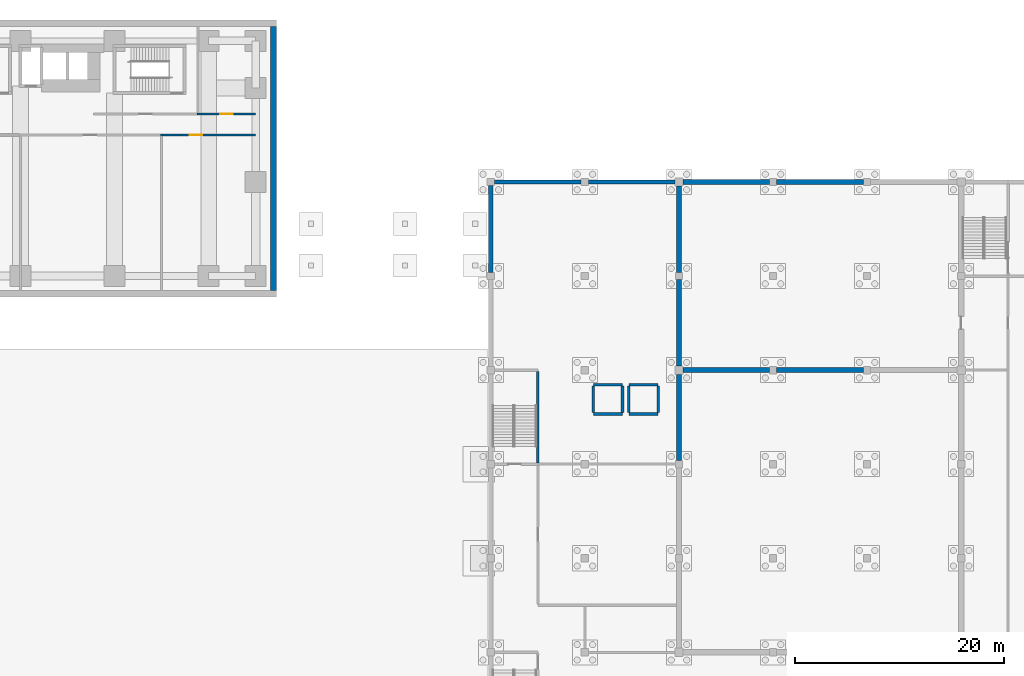
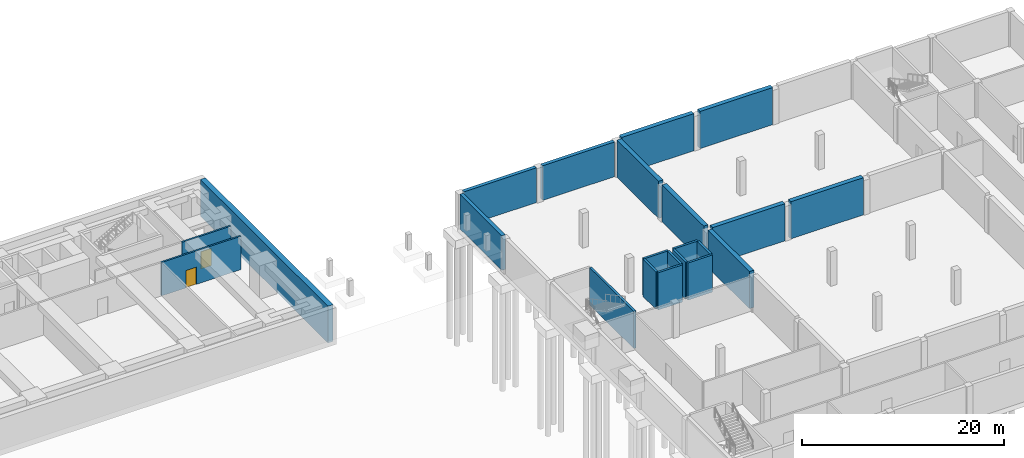
# One storey, part 7 of 12: 22 walls, 2 doors, 2 openings.
"""IFC4 building model written with IfcOpenShell, lengths in metres."""

import ifcopenshell
import ifcopenshell.guid

model = None  # the IFC model being written
_history = None  # IfcOwnerHistory: only IFC2X3 demands one
_inside = {}  # id of a spatial element -> (the spatial element, [elements in it])
_under = {}  # id of a project, library or spatial element -> (it, [spatial elements below it])
_declared = {}  # id of a project -> (the project, [libraries it declares])
_typed = {}  # id of a type object -> (the type object, [elements of that type])
_made_of = {}  # id of a material, layer set ... -> (it, [elements and type objects made of it])


def new_model(schema):
    """Start an empty IFC model of exactly this schema.

    Asked for "IFC4X3", IfcOpenShell would pick the latest addendum, in which some entities
    have other attributes; the version numbers below select the first issue.
    IFC2X3 requires an IfcOwnerHistory on every rooted entity: one is made here for all.
    """
    global model, _history
    if schema == "IFC4X3":
        model = ifcopenshell.file(schema_version=(4, 3, 0, 0))
    else:
        model = ifcopenshell.file(schema=schema)
    _inside.clear()
    _under.clear()
    _declared.clear()
    _typed.clear()
    _made_of.clear()
    _history = None
    if model.schema == "IFC2X3":
        org = make("IfcOrganization", Name="unknown")
        user = make(
            "IfcPersonAndOrganization",
            ThePerson=make("IfcPerson", FamilyName="unknown"),
            TheOrganization=org,
        )
        app = make(
            "IfcApplication",
            ApplicationDeveloper=org,
            Version="unknown",
            ApplicationFullName="unknown",
            ApplicationIdentifier="unknown",
        )
        _history = make(
            "IfcOwnerHistory",
            OwningUser=user,
            OwningApplication=app,
            ChangeAction="ADDED",
            CreationDate=0,
        )
    return model


def make(cls, **values):
    """One entity of the class cls with the attributes given. An attribute that is None is left unset."""
    return model.create_entity(
        cls, **{name: value for name, value in values.items() if value is not None}
    )


def rooted(cls, **values):
    """An entity with a GlobalId (a new one), such as an element, a storey or a relation."""
    return make(cls, GlobalId=ifcopenshell.guid.new(), OwnerHistory=_history, **values)


def si_unit(unit_type, name, prefix=None):
    """IfcSIUnit, for example si_unit("LENGTHUNIT", "METRE", prefix="MILLI")."""
    return make("IfcSIUnit", UnitType=unit_type, Prefix=prefix, Name=name)


def assignment(units):
    """IfcUnitAssignment: the units of a project."""
    return None if units is None else make("IfcUnitAssignment", Units=units)


def point(xyz):
    """IfcCartesianPoint."""
    return None if xyz is None else make("IfcCartesianPoint", Coordinates=xyz)


def direction(xyz):
    """IfcDirection."""
    return None if xyz is None else make("IfcDirection", DirectionRatios=xyz)


def frame(location, z_axis=None, x_axis=None):
    """IfcAxis2Placement3D, a coordinate frame: its origin and axes. An axis left out is left unset."""
    return make(
        "IfcAxis2Placement3D",
        Location=point(location),
        Axis=direction(z_axis),
        RefDirection=direction(x_axis),
    )


def frame_2d(location, x_axis=None):
    """IfcAxis2Placement2D, a coordinate frame in the plane: its origin and x axis."""
    return make(
        "IfcAxis2Placement2D", Location=point(location), RefDirection=direction(x_axis)
    )


def origin():
    """The frame at (0, 0, 0) with its axes left unset."""
    return frame((0.0, 0.0, 0.0))


def place(relative_to, where):
    """IfcLocalPlacement: puts the frame where relative to a parent placement (None: the world)."""
    return make(
        "IfcLocalPlacement", PlacementRelTo=relative_to, RelativePlacement=where
    )


def context(
    kind, dimensions, precision=None, world=None, true_north=None, identifier=None
):
    """IfcGeometricRepresentationContext, for example the 3D "Model" context."""
    return make(
        "IfcGeometricRepresentationContext",
        ContextIdentifier=identifier,
        ContextType=kind,
        CoordinateSpaceDimension=dimensions,
        Precision=precision,
        WorldCoordinateSystem=world,
        TrueNorth=true_north,
    )


def subcontext(parent, identifier, kind, view, scale=None):
    """IfcGeometricRepresentationSubContext, for example "Body" below "Model"."""
    return make(
        "IfcGeometricRepresentationSubContext",
        ContextIdentifier=identifier,
        ContextType=kind,
        ParentContext=parent,
        TargetScale=scale,
        TargetView=view,
    )


def project(units=None, contexts=None):
    """IfcProject with its units and contexts."""
    return rooted(
        "IfcProject",
        Name="project",
        RepresentationContexts=contexts,
        UnitsInContext=assignment(units),
    )


def spatial(cls, under=None, at=None, **own):
    """A site, building, storey or space (cls), placed at a placement, below another one or the project."""
    s = rooted(cls, ObjectPlacement=at, **own)
    if under is not None:
        _under.setdefault(under.id(), (under, []))[1].append(s)
    return s


def profile(cls, at=None, kind="AREA", **sizes):
    """A parametric profile (cls). Its sizes go by their IFC names, for example OverallWidth=200.0."""
    return make(cls, ProfileType=kind, Position=at, **sizes)


def rectangle(**sizes):
    """IfcRectangleProfileDef."""
    return profile("IfcRectangleProfileDef", **sizes)


def extrude(swept, where, along, depth):
    """IfcExtrudedAreaSolid: the profile swept, set in the frame where, extruded along a direction by depth."""
    return make(
        "IfcExtrudedAreaSolid",
        SweptArea=swept,
        Position=where,
        ExtrudedDirection=direction(along),
        Depth=depth,
    )


def shape(context_of_items, identifier, shape_type, items):
    """IfcShapeRepresentation: the items that make up one representation, for example the "Body"."""
    return make(
        "IfcShapeRepresentation",
        ContextOfItems=context_of_items,
        RepresentationIdentifier=identifier,
        RepresentationType=shape_type,
        Items=items,
    )


def material(Name=None, Category=None):
    """IfcMaterial."""
    return make("IfcMaterial", Name=Name, Category=Category)


def layer(
    of_material, thickness, ventilated=None, Name=None, Category=None, Priority=None
):
    """IfcMaterialLayer: one layer of a wall or slab, of a material (None: an air gap)."""
    return make(
        "IfcMaterialLayer",
        Material=of_material,
        LayerThickness=thickness,
        IsVentilated=ventilated,
        Name=Name,
        Category=Category,
        Priority=Priority,
    )


def layer_set(layers, Name=None):
    """IfcMaterialLayerSet."""
    return make("IfcMaterialLayerSet", MaterialLayers=layers, LayerSetName=Name)


def made_of(thing, what):
    """Note that an element or type object is made of a material, layer set ...; save() writes the relation."""
    if what is not None:
        _made_of.setdefault(what.id(), (what, []))[1].append(thing)
    return thing


def type_object(cls, material=None, **own):
    """A type object (cls), such as IfcWallType, which elements share."""
    return made_of(rooted(cls, **own), material)


def element(
    cls,
    number,
    at=None,
    inside=None,
    cuts=None,
    type_object=None,
    material=None,
    context=None,
    identifier="Body",
    shape_type=None,
    held_by="IfcProductDefinitionShape",
    body=None,
    shapes=None,
    **own,
):
    """One element of the class cls, such as IfcWall. Its Tag is "e" and its number.

    at: its placement. inside: the storey or other place that contains it. cuts: it is an
    opening in that element (IfcRelVoidsElement). A single representation is given by context,
    identifier, shape_type and body (its items); several are given by shapes. held_by: the class
    of the entity that holds the representations. save() writes the other relations.
    """
    e = rooted(cls, Tag="e%d" % number, ObjectPlacement=at, **own)
    if body is not None:
        shapes = [shape(context, identifier, shape_type, body)]
    if shapes is not None:
        e.Representation = make(held_by, Representations=shapes)
    if inside is not None:
        _inside.setdefault(inside.id(), (inside, []))[1].append(e)
    if cuts is not None:
        rooted(
            "IfcRelVoidsElement", RelatingBuildingElement=cuts, RelatedOpeningElement=e
        )
    if type_object is not None:
        _typed.setdefault(type_object.id(), (type_object, []))[1].append(e)
    return made_of(e, material)


def fill(opening, filler):
    """IfcRelFillsElement: the door or window that sits in an opening."""
    return rooted(
        "IfcRelFillsElement",
        RelatingOpeningElement=opening,
        RelatedBuildingElement=filler,
    )


def aggregate(whole, parts):
    """IfcRelAggregates: a whole, such as a stair, and the parts it consists of."""
    return rooted("IfcRelAggregates", RelatingObject=whole, RelatedObjects=parts)


def save(model, path):
    """Write the relations noted so far, then the file.

    IfcRelAggregates (storeys below a building ...), IfcRelContainedInSpatialStructure (elements
    in a storey), IfcRelDefinesByType, IfcRelAssociatesMaterial and IfcRelDeclares: one each for
    every whole, place, type object, material and project.
    """
    for whole, parts in _under.values():
        aggregate(whole, parts)
    for where, things in _inside.values():
        rooted(
            "IfcRelContainedInSpatialStructure",
            RelatedElements=things,
            RelatingStructure=where,
        )
    for kind, things in _typed.values():
        rooted("IfcRelDefinesByType", RelatedObjects=things, RelatingType=kind)
    for what, things in _made_of.values():
        rooted("IfcRelAssociatesMaterial", RelatedObjects=things, RelatingMaterial=what)
    for by, libraries in _declared.values():
        rooted("IfcRelDeclares", RelatingContext=by, RelatedDefinitions=libraries)
    model.write(path)


model = new_model("IFC4")

# Units and contexts
model_context = context("Model", 3, precision=1e-05, world=origin(), true_north=direction((0.0, 1.0)))
body_context = subcontext(model_context, "Body", "Model", "MODEL_VIEW")
ifc_project = project(units=[si_unit("LENGTHUNIT", "METRE"), si_unit("AREAUNIT", "SQUARE_METRE"), si_unit("VOLUMEUNIT", "CUBIC_METRE"), si_unit("PLANEANGLEUNIT", "RADIAN"), si_unit("MASSUNIT", "GRAM", prefix="KILO")], contexts=[model_context])

# Site, building, storey
site_placement = place(None, origin())
site = spatial("IfcSite", under=ifc_project, at=site_placement, CompositionType="ELEMENT")
building_placement = place(site_placement, origin())
building = spatial("IfcBuilding", under=site, at=building_placement, Name="Firuza Court", CompositionType="ELEMENT")
storey_placement = place(building_placement, frame((0.0, 0.0, -4.5)))
storey = spatial("IfcBuildingStorey", under=building, at=storey_placement, Name="B1", CompositionType="ELEMENT", Elevation=-4.5)

# Walls
ifc_material_1 = material(Name="Concrete C40/50", Category="concrete")
ifc_layer_1 = layer(ifc_material_1, 0.25)
ifc_layer_set_1 = layer_set([ifc_layer_1], Name="Concrete C40/50")
wall_type_1 = type_object("IfcWallType", Name="HALL RC WALL 250", PredefinedType="STANDARD", material=ifc_layer_set_1)
for number, where, z_axis, x_axis, name in (
    (1, (99.800048828125, 22.800048828125, 0.0), (0.0, 0.0, 1.0), (1.0, 0.0, 0.0), "Wall B1.27"),
    (2, (103.199951171875, 22.800048828125, 0.0), (0.0, 0.0, 1.0), (1.0, 0.0, 0.0), "Wall B1.28"),
    (3, (99.800048828125, 25.60009765625, 0.0), (0.0, 0.0, 1.0), (1.0, 0.0, 0.0), "Wall B1.29"),
    (4, (103.199951171875, 25.60009765625, 0.0), (0.0, 0.0, 1.0), (1.0, 0.0, 0.0), "Wall B1.30"),
):
    element("IfcWall", number, at=place(storey_placement, frame(where, z_axis=z_axis, x_axis=x_axis)), inside=storey, type_object=wall_type_1, Name=name, PredefinedType="STANDARD", context=body_context, shape_type="SweptSolid", body=[
        extrude(rectangle(XDim=2.800048828125, YDim=0.25, at=frame_2d((1.39990234375, 0.0))), origin(), (0.0, 0.0, 1.0), 4.5),
    ])
wall_1_placement = place(storey_placement, frame((94.5, 18.125, 0.0), z_axis=(0.0, 0.0, 1.0), x_axis=(0.0, 1.0, 0.0)))
element("IfcWall", 5, at=wall_1_placement, inside=storey, type_object=wall_type_1, Name="Wall B1.55", PredefinedType="STANDARD", context=body_context, shape_type="SweptSolid", body=[
    extrude(rectangle(XDim=8.75, YDim=0.25, at=frame_2d((4.375, 0.0))), origin(), (0.0, 0.0, 1.0), 4.5),
])
for number, where, z_axis, x_axis, name in (
    (6, (99.800048828125, 22.925048828125, 0.0), (0.0, 0.0, 1.0), (0.0, 1.0, 0.0), "Wall B1.57"),
    (7, (102.60009765625, 22.925048828125, 0.0), (0.0, 0.0, 1.0), (0.0, 1.0, 0.0), "Wall B1.58"),
    (8, (103.199951171875, 22.925048828125, 0.0), (0.0, 0.0, 1.0), (0.0, 1.0, 0.0), "Wall B1.59"),
    (9, (106.0, 22.925048828125, 0.0), (0.0, 0.0, 1.0), (0.0, 1.0, 0.0), "Wall B1.61"),
):
    element("IfcWall", number, at=place(storey_placement, frame(where, z_axis=z_axis, x_axis=x_axis)), inside=storey, type_object=wall_type_1, Name=name, PredefinedType="STANDARD", context=body_context, shape_type="SweptSolid", body=[
        extrude(rectangle(XDim=2.550048828125, YDim=0.25, at=frame_2d((1.27490234375, 0.0))), origin(), (0.0, 0.0, 1.0), 4.5),
    ])
ifc_layer_2 = layer(ifc_material_1, 0.39990234375)
ifc_layer_set_2 = layer_set([ifc_layer_2], Name="Concrete C40/50")
wall_type_2 = type_object("IfcWallType", Name="HALL RC WALL 400", PredefinedType="STANDARD", material=ifc_layer_set_2)
wall_2_placement = place(storey_placement, frame((90.35009765625, 45.0, 0.0), z_axis=(0.0, 0.0, 1.0), x_axis=(1.0, 0.0, 0.0)))
element("IfcWall", 10, at=wall_2_placement, inside=storey, type_object=wall_type_2, Name="Wall B1.39", PredefinedType="STANDARD", context=body_context, shape_type="SweptSolid", body=[
    extrude(rectangle(XDim=8.2998046875, YDim=0.39990234375, at=frame_2d((4.14990234375, 0.0))), origin(), (0.0, 0.0, 1.0), 4.199951171875),
])
wall_3_placement = place(storey_placement, frame((99.35009765625, 45.0, 0.0), z_axis=(0.0, 0.0, 1.0), x_axis=(1.0, 0.0, 0.0)))
element("IfcWall", 11, at=wall_3_placement, inside=storey, type_object=wall_type_2, Name="Wall B1.40", PredefinedType="STANDARD", context=body_context, shape_type="SweptSolid", body=[
    extrude(rectangle(XDim=8.25, YDim=0.39990234375, at=frame_2d((4.125, 0.0))), origin(), (0.0, 0.0, 1.0), 4.199951171875),
])
wall_4_placement = place(storey_placement, frame((108.39990234375, 45.0, 0.0), z_axis=(0.0, 0.0, 1.0), x_axis=(1.0, 0.0, 0.0)))
element("IfcWall", 12, at=wall_4_placement, inside=storey, type_object=wall_type_2, Name="Wall B1.41", PredefinedType="STANDARD", context=body_context, shape_type="SweptSolid", body=[
    extrude(rectangle(XDim=8.25, YDim=0.5, at=frame_2d((4.125, 0.0))), origin(), (0.0, 0.0, 1.0), 4.5),
])
wall_5_placement = place(storey_placement, frame((117.35009765625, 45.0, 0.0), z_axis=(0.0, 0.0, 1.0), x_axis=(1.0, 0.0, 0.0)))
element("IfcWall", 13, at=wall_5_placement, inside=storey, type_object=wall_type_2, Name="Wall B1.42", PredefinedType="STANDARD", context=body_context, shape_type="SweptSolid", body=[
    extrude(rectangle(XDim=8.2998046875, YDim=0.5, at=frame_2d((4.14990234375, 0.0))), origin(), (0.0, 0.0, 1.0), 4.5),
])
wall_6_placement = place(storey_placement, frame((90.0, 36.35009765625, 0.0), z_axis=(0.0, 0.0, 1.0), x_axis=(0.0, 1.0, 0.0)))
element("IfcWall", 14, at=wall_6_placement, inside=storey, type_object=wall_type_2, Name="Wall B1.52", PredefinedType="STANDARD", context=body_context, shape_type="SweptSolid", body=[
    extrude(rectangle(XDim=8.2998046875, YDim=0.39990234375, at=frame_2d((4.14990234375, 0.0))), origin(), (0.0, 0.0, 1.0), 4.199951171875),
])
ifc_layer_3 = layer(ifc_material_1, 0.5)
ifc_layer_set_3 = layer_set([ifc_layer_3], Name="Concrete C40/50")
wall_type_3 = type_object("IfcWallType", Name="HALL RC WALL 500", PredefinedType="STANDARD", material=ifc_layer_set_3)
wall_7_placement = place(storey_placement, frame((108.39990234375, 27.0, 0.0), z_axis=(0.0, 0.0, 1.0), x_axis=(1.0, 0.0, 0.0)))
element("IfcWall", 15, at=wall_7_placement, inside=storey, type_object=wall_type_3, Name="Wall B1.32", PredefinedType="STANDARD", context=body_context, shape_type="SweptSolid", body=[
    extrude(rectangle(XDim=8.25, YDim=0.5, at=frame_2d((4.125, 0.0))), origin(), (0.0, 0.0, 1.0), 4.5),
])
wall_8_placement = place(storey_placement, frame((117.35009765625, 27.0, 0.0), z_axis=(0.0, 0.0, 1.0), x_axis=(1.0, 0.0, 0.0)))
element("IfcWall", 16, at=wall_8_placement, inside=storey, type_object=wall_type_3, Name="Wall B1.33", PredefinedType="STANDARD", context=body_context, shape_type="SweptSolid", body=[
    extrude(rectangle(XDim=8.2998046875, YDim=0.5, at=frame_2d((4.14990234375, 0.0))), origin(), (0.0, 0.0, 1.0), 4.5),
])
for number, where, z_axis, x_axis, name in (
    (17, (108.0, 18.35009765625, 0.0), (0.0, 0.0, 1.0), (0.0, 1.0, 0.0), "Wall B1.64"),
    (18, (108.0, 27.39990234375, 0.0), (0.0, 0.0, 1.0), (0.0, 1.0, 0.0), "Wall B1.65"),
    (19, (108.0, 36.35009765625, 0.0), (0.0, 0.0, 1.0), (0.0, 1.0, 0.0), "Wall B1.66"),
):
    element("IfcWall", number, at=place(storey_placement, frame(where, z_axis=z_axis, x_axis=x_axis)), inside=storey, type_object=wall_type_3, Name=name, PredefinedType="STANDARD", context=body_context, shape_type="SweptSolid", body=[
        extrude(rectangle(XDim=8.25, YDim=0.5, at=frame_2d((4.125, 0.0))), origin(), (0.0, 0.0, 1.0), 4.5),
    ])

# Wall, opening, door
ifc_material_2 = material(Name="Blockwork, fire-rated", Category="masonry")
ifc_layer_4 = layer(ifc_material_2, 0.199951171875)
ifc_layer_set_4 = layer_set([ifc_layer_4], Name="Blockwork, fire-rated")
wall_type_4 = type_object("IfcWallType", Name="Plant room wall 200", PredefinedType="PARTITIONING", material=ifc_layer_set_4)
wall_9_placement = place(storey_placement, frame((58.39990234375, 49.5, 0.0), z_axis=(0.0, 0.0, 1.0), x_axis=(1.0, 0.0, 0.0)))
wall_9 = element("IfcWall", 20, at=wall_9_placement, inside=storey, type_object=wall_type_4, Name="Plant room wall 200 B1", PredefinedType="PARTITIONING", context=body_context, shape_type="SweptSolid", body=[
    extrude(rectangle(XDim=9.10009765625, YDim=0.199951171875, at=frame_2d((4.550048828125, 0.0))), origin(), (0.0, 0.0, 1.0), 4.050048828125),
])
opening_1_placement = place(wall_9_placement, frame((2.800048828125, 0.0, 0.0)))
opening_1 = element("IfcOpeningElement", 21, at=opening_1_placement, cuts=wall_9, Name="Opening DB1021", PredefinedType="OPENING", context=body_context, shape_type="SweptSolid", body=[
    extrude(rectangle(XDim=1.199951171875, YDim=2.10009765625, at=frame_2d((0.60009765625, 1.050048828125))), frame((0.0, 0.11181640625, 0.0), z_axis=(0.0, -1.0, 0.0), x_axis=(1.0, 0.0, 0.0)), (0.0, 0.0, 1.0), 0.223876953125),
])
ifc_material_3 = material(Name="Timber door leaf in hardwood frame", Category="wood")
door_type = type_object("IfcDoorType", Name="Plant room door 1200", OperationType="SINGLE_SWING_LEFT", PredefinedType="DOOR", material=ifc_material_3)
door_1_placement = place(opening_1_placement, frame((1.199951171875, 0.0, 0.0), z_axis=(0.0, 0.0, 1.0), x_axis=(-1.0, 0.0, 0.0)))
door_1 = element("IfcDoor", 22, at=door_1_placement, inside=storey, type_object=door_type, Name="Plant door", OperationType="SINGLE_SWING_RIGHT", OverallHeight=2.10009765625, OverallWidth=1.199951171875, PredefinedType="DOOR", context=body_context, shape_type="SweptSolid", body=[
    extrude(rectangle(XDim=1.199951171875, YDim=2.10009765625, at=frame_2d((0.60009765625, 1.050048828125))), frame((0.0, 0.02490234375, 0.0), z_axis=(0.0, -1.0, 0.0), x_axis=(1.0, 0.0, 0.0)), (0.0, 0.0, 1.0), 0.050048828125),
])
fill(opening_1, door_1)

wall_10_placement = place(storey_placement, frame((67.5, 51.5, 0.0), z_axis=(0.0, 0.0, 1.0), x_axis=(-1.0, 0.0, 0.0)))
wall_10 = element("IfcWall", 23, at=wall_10_placement, inside=storey, type_object=wall_type_4, Name="Plant room wall 200 B1", PredefinedType="PARTITIONING", context=body_context, shape_type="SweptSolid", body=[
    extrude(rectangle(XDim=5.60009765625, YDim=0.199951171875, at=frame_2d((2.800048828125, 0.0))), origin(), (0.0, 0.0, 1.0), 4.050048828125),
])
opening_2_placement = place(wall_10_placement, frame((2.199951171875, 0.0, 0.0)))
opening_2 = element("IfcOpeningElement", 24, at=opening_2_placement, cuts=wall_10, Name="Opening DB1024", PredefinedType="OPENING", context=body_context, shape_type="SweptSolid", body=[
    extrude(rectangle(XDim=1.199951171875, YDim=2.10009765625, at=frame_2d((0.60009765625, 1.050048828125))), frame((0.0, 0.11181640625, 0.0), z_axis=(0.0, -1.0, 0.0), x_axis=(1.0, 0.0, 0.0)), (0.0, 0.0, 1.0), 0.223876953125),
])
door_2_placement = place(opening_2_placement, frame((1.199951171875, 0.0, 0.0), z_axis=(0.0, 0.0, 1.0), x_axis=(-1.0, 0.0, 0.0)))
door_2 = element("IfcDoor", 25, at=door_2_placement, inside=storey, type_object=door_type, Name="Plant door", OperationType="SINGLE_SWING_LEFT", OverallHeight=2.10009765625, OverallWidth=1.199951171875, PredefinedType="DOOR", context=body_context, shape_type="SweptSolid", body=[
    extrude(rectangle(XDim=1.199951171875, YDim=2.10009765625, at=frame_2d((0.60009765625, 1.050048828125))), frame((0.0, 0.02490234375, 0.0), z_axis=(0.0, -1.0, 0.0), x_axis=(1.0, 0.0, 0.0)), (0.0, 0.0, 1.0), 0.050048828125),
])
fill(opening_2, door_2)

# Wall
ifc_material_4 = material(Name="Concrete C35/45", Category="concrete")
ifc_layer_5 = layer(ifc_material_4, 0.60009765625)
ifc_layer_set_5 = layer_set([ifc_layer_5], Name="Concrete C35/45")
wall_type_5 = type_object("IfcWallType", Name="Retaining wall 600", PredefinedType="SOLIDWALL", material=ifc_layer_set_5)
wall_11_placement = place(storey_placement, frame((69.199951171875, 59.89990234375, -0.39990234375), z_axis=(0.0, 0.0, 1.0), x_axis=(0.0, -1.0, 0.0)))
element("IfcWall", 26, at=wall_11_placement, inside=storey, type_object=wall_type_5, Name="Basement retaining wall B1 03", PredefinedType="SOLIDWALL", context=body_context, shape_type="SweptSolid", body=[
    extrude(rectangle(XDim=25.2998046875, YDim=0.60009765625, at=frame_2d((12.64990234375, 0.0))), origin(), (0.0, 0.0, 1.0), 4.449951171875),
])

save(model, "model.ifc")
